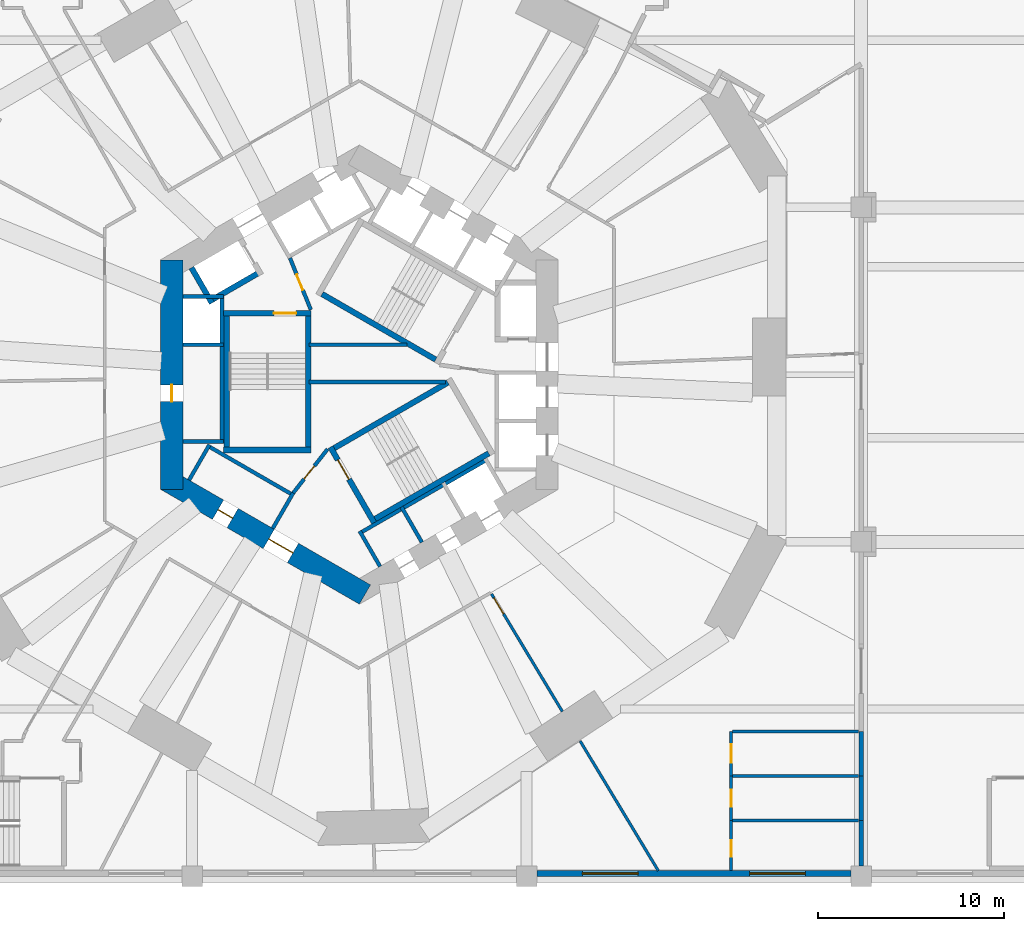
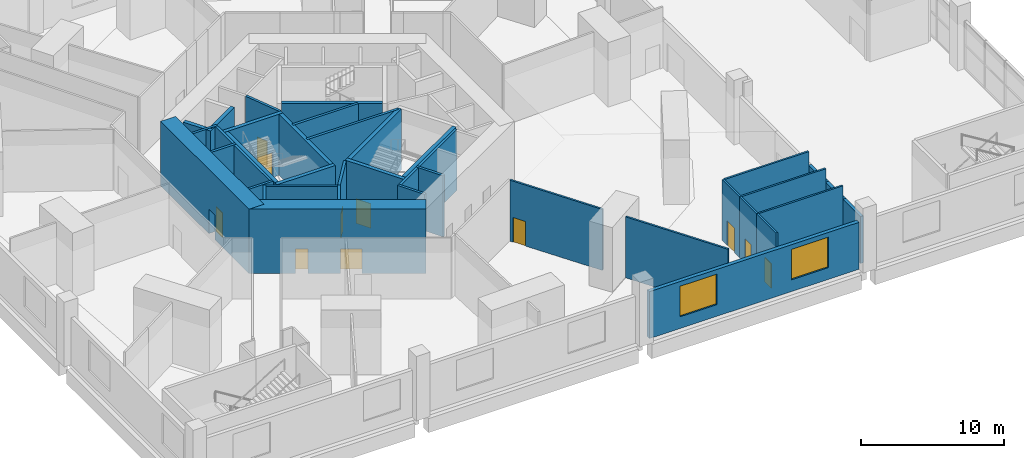
# One storey, part 6 of 16: 38 walls, 11 doors, 2 windows, 13 openings.
"""IFC4 building model written with IfcOpenShell, lengths in metres."""

from ifc_helpers import new_model, si_unit, direction, frame, frame_2d, origin, place, context, subcontext, project, spatial, rectangle, extrude, material, layer, layer_set, type_object, element, fill, save


model = new_model("IFC4")

# Units and contexts
model_context = context("Model", 3, precision=1e-05, world=origin(), true_north=direction((0.0, 1.0)))
body_context = subcontext(model_context, "Body", "Model", "MODEL_VIEW")
ifc_project = project(units=[si_unit("LENGTHUNIT", "METRE"), si_unit("AREAUNIT", "SQUARE_METRE"), si_unit("VOLUMEUNIT", "CUBIC_METRE"), si_unit("PLANEANGLEUNIT", "RADIAN"), si_unit("MASSUNIT", "GRAM", prefix="KILO")], contexts=[model_context])

# Site, building, storey
site_placement = place(None, origin())
site = spatial("IfcSite", under=ifc_project, at=site_placement, CompositionType="ELEMENT")
building_placement = place(site_placement, origin())
building = spatial("IfcBuilding", under=site, at=building_placement, Name="Vanh Sen Convention Tower", CompositionType="ELEMENT")
storey_placement = place(building_placement, frame((0.0, 0.0, 7.5)))
storey = spatial("IfcBuildingStorey", under=building, at=storey_placement, Name="L01", CompositionType="ELEMENT", Elevation=7.5)

# Walls
ifc_material_1 = material(Name="Concrete C40/50", Category="concrete")
ifc_layer_1 = layer(ifc_material_1, 0.25)
ifc_layer_set_1 = layer_set([ifc_layer_1], Name="Concrete C40/50")
wall_type_1 = type_object("IfcWallType", Name="Concrete wall 250 EI 180", PredefinedType="SOLIDWALL", material=ifc_layer_set_1)
wall_1_placement = place(storey_placement, frame((27.0, -26.449951171875, 0.0), z_axis=(0.0, 0.0, 1.0), x_axis=(0.0, 1.0, 0.0)))
element("IfcWall", 1, at=wall_1_placement, inside=storey, type_object=wall_type_1, Name="Fire-resisting wall L01-002", PredefinedType="SOLIDWALL", context=body_context, shape_type="SweptSolid", body=[
    extrude(rectangle(XDim=2.449951171875, YDim=0.25, at=frame_2d((1.22509765625, 0.0))), origin(), (0.0, 0.0, 1.0), 4.0),
])
wall_2_placement = place(storey_placement, frame((27.0, -24.0, 0.0), z_axis=(0.0, 0.0, 1.0), x_axis=(0.0, 1.0, 0.0)))
element("IfcWall", 2, at=wall_2_placement, inside=storey, type_object=wall_type_1, Name="Fire-resisting wall L01-009", PredefinedType="SOLIDWALL", context=body_context, shape_type="SweptSolid", body=[
    extrude(rectangle(XDim=2.39990234375, YDim=0.25, at=frame_2d((1.199951171875, 0.0))), origin(), (0.0, 0.0, 1.0), 4.0),
])
wall_3_placement = place(storey_placement, frame((27.0, -21.60009765625, 0.0), z_axis=(0.0, 0.0, 1.0), x_axis=(0.0, 1.0, 0.0)))
element("IfcWall", 3, at=wall_3_placement, inside=storey, type_object=wall_type_1, Name="Fire-resisting wall L01-017", PredefinedType="SOLIDWALL", context=body_context, shape_type="SweptSolid", body=[
    extrude(rectangle(XDim=2.400146484375, YDim=0.25, at=frame_2d((1.2001953125, 0.0))), origin(), (0.0, 0.0, 1.0), 4.0),
])

# Wall, opening, door
ifc_material_2 = material(Name="Concrete C80/95", Category="concrete")
ifc_layer_2 = layer(ifc_material_2, 1.199951171875)
ifc_layer_set_2 = layer_set([ifc_layer_2], Name="Concrete C80/95")
wall_type_2 = type_object("IfcWallType", Name="Core outer wall 1200 C80/95", PredefinedType="SHEAR", material=ifc_layer_set_2)
wall_4_placement = place(storey_placement, frame((-10.10009765625, 6.177490234375, 0.0), z_axis=(0.0, 0.0, 1.0), x_axis=(0.0, -1.0, 0.0)))
wall_4 = element("IfcWall", 4, at=wall_4_placement, inside=storey, type_object=wall_type_2, Name="Core wall face W L01", PredefinedType="SHEAR", context=body_context, shape_type="SweptSolid", body=[
    extrude(rectangle(XDim=12.35498046875, YDim=1.199951171875, at=frame_2d((6.177490234375, 0.0))), origin(), (0.0, 0.0, 1.0), 5.5),
])
opening_1_placement = place(wall_4_placement, frame((6.7275390625, 0.0, 0.0)))
opening_1 = element("IfcOpeningElement", 5, at=opening_1_placement, cuts=wall_4, Name="Opening D01010", PredefinedType="OPENING", context=body_context, shape_type="SweptSolid", body=[
    extrude(rectangle(XDim=0.89990234375, YDim=2.10009765625, at=frame_2d((0.449951171875, 1.050048828125))), frame((0.0, 0.60986328125, 0.0), z_axis=(0.0, -1.0, 0.0), x_axis=(1.0, 0.0, 0.0)), (0.0, 0.0, 1.0), 1.219970703125),
])
ifc_material_3 = material(Name="Steel S355", Category="steel")
door_type_1 = type_object("IfcDoorType", Name="Plant door 900", OperationType="SINGLE_SWING_LEFT", PredefinedType="DOOR", material=ifc_material_3)
door_1_placement = place(opening_1_placement, origin())
door_1 = element("IfcDoor", 6, at=door_1_placement, inside=storey, type_object=door_type_1, Name="Plant door D01010", OperationType="SINGLE_SWING_LEFT", OverallHeight=2.10009765625, OverallWidth=0.89990234375, PredefinedType="DOOR", context=body_context, shape_type="SweptSolid", body=[
    extrude(rectangle(XDim=0.89990234375, YDim=2.10009765625, at=frame_2d((0.449951171875, 1.050048828125))), frame((0.0, 0.02490234375, 0.0), z_axis=(0.0, -1.0, 0.0), x_axis=(1.0, 0.0, 0.0)), (0.0, 0.0, 1.0), 0.050048828125),
])
fill(opening_1, door_1)

# Wall, openings, doors
wall_5_placement = place(storey_placement, frame((-10.39990234375, -5.657958984375, 0.0), z_axis=(0.0, 0.0, 1.0), x_axis=(0.866021384402, -0.500006961711, 0.0)))
wall_5 = element("IfcWall", 7, at=wall_5_placement, inside=storey, type_object=wall_type_2, Name="Core wall face SW L01", PredefinedType="SHEAR", context=body_context, shape_type="SweptSolid", body=[
    extrude(rectangle(XDim=12.355224609375, YDim=1.199951171875, at=frame_2d((6.177734375, 0.0))), origin(), (0.0, 0.0, 1.0), 5.5),
])
opening_2_placement = place(wall_5_placement, frame((6.377685546875, 0.0, 0.0)))
opening_2 = element("IfcOpeningElement", 8, at=opening_2_placement, cuts=wall_5, Name="Opening D01003", PredefinedType="OPENING", context=body_context, shape_type="SweptSolid", body=[
    extrude(rectangle(XDim=1.5, YDim=2.10009765625, at=frame_2d((0.75, 1.050048828125))), frame((0.0, 0.60986328125, 0.0), z_axis=(0.0, -1.0, 0.0), x_axis=(1.0, 0.0, 0.0)), (0.0, 0.0, 1.0), 1.219970703125),
])
opening_3_placement = place(wall_5_placement, frame((3.227783203125, 0.0, 0.0)))
opening_3 = element("IfcOpeningElement", 9, at=opening_3_placement, cuts=wall_5, Name="Opening D01011", PredefinedType="OPENING", context=body_context, shape_type="SweptSolid", body=[
    extrude(rectangle(XDim=0.89990234375, YDim=2.10009765625, at=frame_2d((0.449951171875, 1.050048828125))), frame((0.0, 0.60986328125, 0.0), z_axis=(0.0, -1.0, 0.0), x_axis=(1.0, 0.0, 0.0)), (0.0, 0.0, 1.0), 1.219970703125),
])
door_2_placement = place(opening_3_placement, origin())
door_2 = element("IfcDoor", 10, at=door_2_placement, inside=storey, type_object=door_type_1, Name="Plant door D01011", OperationType="SINGLE_SWING_LEFT", OverallHeight=2.10009765625, OverallWidth=0.89990234375, PredefinedType="DOOR", context=body_context, shape_type="SweptSolid", body=[
    extrude(rectangle(XDim=0.89990234375, YDim=2.10009765625, at=frame_2d((0.449951171875, 1.050048828125))), frame((0.0, 0.02490234375, 0.0), z_axis=(0.0, -1.0, 0.0), x_axis=(1.0, 0.0, 0.0)), (0.0, 0.0, 1.0), 0.050048828125),
])
fill(opening_3, door_2)
door_type_2 = type_object("IfcDoorType", Name="Stair lobby door 1500", OperationType="DOUBLE_DOOR_SINGLE_SWING", PredefinedType="DOOR", material=ifc_material_3)
door_3_placement = place(opening_2_placement, origin())
door_3 = element("IfcDoor", 11, at=door_3_placement, inside=storey, type_object=door_type_2, Name="Stair lobby door D01003", OperationType="DOUBLE_DOOR_SINGLE_SWING", OverallHeight=2.10009765625, OverallWidth=1.5, PredefinedType="DOOR", context=body_context, shape_type="SweptSolid", body=[
    extrude(rectangle(XDim=1.5, YDim=2.10009765625, at=frame_2d((0.75, 1.050048828125))), frame((0.0, 0.02490234375, 0.0), z_axis=(0.0, -1.0, 0.0), x_axis=(1.0, 0.0, 0.0)), (0.0, 0.0, 1.0), 0.050048828125),
])
fill(opening_2, door_3)

# Walls
ifc_material_4 = material(Name="Masonry blockwork", Category="masonry")
ifc_layer_3 = layer(ifc_material_4, 0.199951171875)
ifc_layer_set_3 = layer_set([ifc_layer_3], Name="Masonry blockwork")
wall_type_3 = type_object("IfcWallType", Name="Core partition 200", PredefinedType="PARTITIONING", material=ifc_layer_set_3)
wall_6_placement = place(storey_placement, frame((-2.719970703125, -0.39990234375, 0.0), z_axis=(0.0, 0.0, 1.0), x_axis=(1.0, 0.0, 0.0)))
element("IfcWall", 12, at=wall_6_placement, inside=storey, type_object=wall_type_3, Name="Core partition L01", PredefinedType="PARTITIONING", context=body_context, shape_type="SweptSolid", body=[
    extrude(rectangle(XDim=7.34716796875, YDim=0.199951171875, at=frame_2d((3.673583984375, 0.0))), origin(), (0.0, 0.0, 1.0), 5.199951171875),
])
wall_7_placement = place(storey_placement, frame((-2.719970703125, 1.60009765625, 0.0), z_axis=(0.0, 0.0, 1.0), x_axis=(1.0, 0.0, 0.0)))
element("IfcWall", 13, at=wall_7_placement, inside=storey, type_object=wall_type_3, Name="Core partition L01", PredefinedType="PARTITIONING", context=body_context, shape_type="SweptSolid", body=[
    extrude(rectangle(XDim=5.2685546875, YDim=0.199951171875, at=frame_2d((2.63427734375, 0.0))), origin(), (0.0, 0.0, 1.0), 5.199951171875),
])
ifc_material_5 = material(Name="Concrete C60/75", Category="concrete")
ifc_layer_4 = layer(ifc_material_5, 0.300048828125)
ifc_layer_set_4 = layer_set([ifc_layer_4], Name="Concrete C60/75")
wall_type_4 = type_object("IfcWallType", Name="Fire-fighting lift shaft wall 300", PredefinedType="SHEAR", material=ifc_layer_set_4)
wall_8_placement = place(storey_placement, frame((-5.240478515625, 5.576904296875, 0.0), z_axis=(0.0, 0.0, 1.0), x_axis=(-0.866014461049, -0.500018952895, 0.0)))
element("IfcWall", 14, at=wall_8_placement, inside=storey, type_object=wall_type_4, Name="Fire-fighting lift shaft wall L01", PredefinedType="SHEAR", context=body_context, shape_type="SweptSolid", body=[
    extrude(rectangle(XDim=3.349853515625, YDim=0.300048828125, at=frame_2d((1.6748046875, 0.0))), origin(), (0.0, 0.0, 1.0), 5.199951171875),
])
wall_9_placement = place(storey_placement, frame((-7.936767578125, 3.846923828125, 0.0), z_axis=(0.0, 0.0, 1.0), x_axis=(-0.50002983664, 0.866008176907, 0.0)))
element("IfcWall", 15, at=wall_9_placement, inside=storey, type_object=wall_type_4, Name="Fire-fighting lift shaft wall L01", PredefinedType="SHEAR", context=body_context, shape_type="SweptSolid", body=[
    extrude(rectangle(XDim=2.199951171875, YDim=0.300048828125, at=frame_2d((1.10009765625, 0.0))), origin(), (0.0, 0.0, 1.0), 5.199951171875),
])
ifc_layer_5 = layer(ifc_material_1, 0.199951171875)
ifc_layer_set_5 = layer_set([ifc_layer_5], Name="Concrete C40/50")
wall_type_5 = type_object("IfcWallType", Name="Lift shaft wall 200", PredefinedType="PARTITIONING", material=ifc_layer_set_5)
wall_10_placement = place(storey_placement, frame((-7.39990234375, 4.300048828125, 0.0), z_axis=(0.0, 0.0, 1.0), x_axis=(0.0, -1.0, 0.0)))
element("IfcWall", 16, at=wall_10_placement, inside=storey, type_object=wall_type_5, Name="Lift shaft wall L01", PredefinedType="PARTITIONING", context=body_context, shape_type="SweptSolid", body=[
    extrude(rectangle(XDim=8.0, YDim=0.199951171875, at=frame_2d((4.0, 0.0))), origin(), (0.0, 0.0, 1.0), 5.199951171875),
])
for number, where, z_axis, x_axis, name in (
    (17, (-7.300048828125, 4.199951171875, 0.0), (0.0, 0.0, 1.0), (-1.0, 0.0, 0.0), "Lift shaft wall L01"),
    (18, (-7.300048828125, 1.60009765625, 0.0), (0.0, 0.0, 1.0), (-1.0, 0.0, 0.0), "Lift shaft wall L01"),
    (19, (-7.300048828125, -3.60009765625, 0.0), (0.0, 0.0, 1.0), (-1.0, 0.0, 0.0), "Lift shaft wall L01"),
):
    element("IfcWall", number, at=place(storey_placement, frame(where, z_axis=z_axis, x_axis=x_axis)), inside=storey, type_object=wall_type_5, Name=name, PredefinedType="PARTITIONING", context=body_context, shape_type="SweptSolid", body=[
        extrude(rectangle(XDim=2.199951171875, YDim=0.199951171875, at=frame_2d((1.10009765625, 0.0))), origin(), (0.0, 0.0, 1.0), 5.199951171875),
    ])
wall_11_placement = place(storey_placement, frame((-8.203369140625, -3.80859375, 0.0), z_axis=(0.0, 0.0, 1.0), x_axis=(0.866028230842, -0.499995103361, 0.0)))
element("IfcWall", 20, at=wall_11_placement, inside=storey, type_object=wall_type_5, Name="Lift shaft wall L01", PredefinedType="PARTITIONING", context=body_context, shape_type="SweptSolid", body=[
    extrude(rectangle(XDim=5.39990234375, YDim=0.199951171875, at=frame_2d((2.699951171875, 0.0))), origin(), (0.0, 0.0, 1.0), 5.199951171875),
])
wall_12_placement = place(storey_placement, frame((-8.066650390625, -3.77197265625, 0.0), z_axis=(0.0, 0.0, 1.0), x_axis=(-0.50002983664, -0.866008176907, 0.0)))
element("IfcWall", 21, at=wall_12_placement, inside=storey, type_object=wall_type_5, Name="Lift shaft wall L01", PredefinedType="PARTITIONING", context=body_context, shape_type="SweptSolid", body=[
    extrude(rectangle(XDim=2.199951171875, YDim=0.199951171875, at=frame_2d((1.10009765625, 0.0))), origin(), (0.0, 0.0, 1.0), 5.199951171875),
])
wall_13_placement = place(storey_placement, frame((-3.5634765625, -6.3720703125, 0.0), z_axis=(0.0, 0.0, 1.0), x_axis=(-0.499994660107, -0.866028486751, 0.0)))
element("IfcWall", 22, at=wall_13_placement, inside=storey, type_object=wall_type_5, Name="Lift shaft wall L01", PredefinedType="PARTITIONING", context=body_context, shape_type="SweptSolid", body=[
    extrude(rectangle(XDim=2.19970703125, YDim=0.199951171875, at=frame_2d((1.099853515625, 0.0))), origin(), (0.0, 0.0, 1.0), 5.199951171875),
])
wall_14_placement = place(storey_placement, frame((-0.02392578125, -8.55859375, 0.0), z_axis=(0.0, 0.0, 1.0), x_axis=(0.866026010844, 0.49999894854, 0.0)))
element("IfcWall", 23, at=wall_14_placement, inside=storey, type_object=wall_type_5, Name="Lift shaft wall L01", PredefinedType="PARTITIONING", context=body_context, shape_type="SweptSolid", body=[
    extrude(rectangle(XDim=8.0, YDim=0.199951171875, at=frame_2d((4.0, 0.0))), origin(), (0.0, 0.0, 1.0), 5.199951171875),
])
for number, where, z_axis, x_axis, name in (
    (24, (0.0126953125, -8.422119140625, 0.0), (0.0, 0.0, 1.0), (0.500077893725, -0.86598042715, 0.0), "Lift shaft wall L01"),
    (25, (2.264404296875, -7.1220703125, 0.0), (0.0, 0.0, 1.0), (0.500077893725, -0.86598042715, 0.0), "Lift shaft wall L01"),
):
    element("IfcWall", number, at=place(storey_placement, frame(where, z_axis=z_axis, x_axis=x_axis)), inside=storey, type_object=wall_type_5, Name=name, PredefinedType="PARTITIONING", context=body_context, shape_type="SweptSolid", body=[
        extrude(rectangle(XDim=2.199951171875, YDim=0.199951171875, at=frame_2d((1.10009765625, 0.0))), origin(), (0.0, 0.0, 1.0), 5.199951171875),
    ])

# Wall, opening, door
ifc_material_6 = material(Name="Gypsum board on steel studs", Category="steel")
ifc_layer_6 = layer(ifc_material_6, 0.14990234375)
ifc_layer_set_6 = layer_set([ifc_layer_6], Name="Gypsum board on steel studs")
wall_type_6 = type_object("IfcWallType", Name="Partition 150", PredefinedType="PARTITIONING", material=ifc_layer_set_6)
wall_15_placement = place(storey_placement, frame((20.0, -26.699951171875, 0.0), z_axis=(0.0, 0.0, 1.0), x_axis=(0.0, 1.0, 0.0)))
wall_15 = element("IfcWall", 26, at=wall_15_placement, inside=storey, type_object=wall_type_6, Name="Partition L01-001", PredefinedType="PARTITIONING", context=body_context, shape_type="SweptSolid", body=[
    extrude(rectangle(XDim=2.699951171875, YDim=0.14990234375, at=frame_2d((1.35009765625, 0.0))), origin(), (0.0, 0.0, 1.0), 5.199951171875),
])
opening_4_placement = place(wall_15_placement, frame((0.75, 0.0, 0.0)))
opening_4 = element("IfcOpeningElement", 27, at=opening_4_placement, cuts=wall_15, Name="Opening D01101", PredefinedType="OPENING", context=body_context, shape_type="SweptSolid", body=[
    extrude(rectangle(XDim=0.89990234375, YDim=2.10009765625, at=frame_2d((0.449951171875, 1.050048828125))), frame((0.0, 0.0849609375, 0.0), z_axis=(0.0, -1.0, 0.0), x_axis=(1.0, 0.0, 0.0)), (0.0, 0.0, 1.0), 0.169921875),
])
ifc_material_7 = material(Name="Timber door in steel frame", Category="steel")
door_type_3 = type_object("IfcDoorType", Name="Room door 900", OperationType="SINGLE_SWING_LEFT", PredefinedType="DOOR", material=ifc_material_7)
door_4_placement = place(opening_4_placement, origin())
door_4 = element("IfcDoor", 28, at=door_4_placement, inside=storey, type_object=door_type_3, Name="Room door D01101", OperationType="SINGLE_SWING_LEFT", OverallHeight=2.10009765625, OverallWidth=0.89990234375, PredefinedType="DOOR", context=body_context, shape_type="SweptSolid", body=[
    extrude(rectangle(XDim=0.89990234375, YDim=2.10009765625, at=frame_2d((0.449951171875, 1.050048828125))), frame((0.0, 0.02490234375, 0.0), z_axis=(0.0, -1.0, 0.0), x_axis=(1.0, 0.0, 0.0)), (0.0, 0.0, 1.0), 0.050048828125),
])
fill(opening_4, door_4)

wall_16_placement = place(storey_placement, frame((20.0, -24.0, 0.0), z_axis=(0.0, 0.0, 1.0), x_axis=(0.0, 1.0, 0.0)))
wall_16 = element("IfcWall", 29, at=wall_16_placement, inside=storey, type_object=wall_type_6, Name="Partition L01-007", PredefinedType="PARTITIONING", context=body_context, shape_type="SweptSolid", body=[
    extrude(rectangle(XDim=2.39990234375, YDim=0.14990234375, at=frame_2d((1.199951171875, 0.0))), origin(), (0.0, 0.0, 1.0), 5.199951171875),
])
opening_5_placement = place(wall_16_placement, frame((0.75, 0.0, 0.0)))
opening_5 = element("IfcOpeningElement", 30, at=opening_5_placement, cuts=wall_16, Name="Opening D01102", PredefinedType="OPENING", context=body_context, shape_type="SweptSolid", body=[
    extrude(rectangle(XDim=0.89990234375, YDim=2.10009765625, at=frame_2d((0.449951171875, 1.050048828125))), frame((0.0, 0.0849609375, 0.0), z_axis=(0.0, -1.0, 0.0), x_axis=(1.0, 0.0, 0.0)), (0.0, 0.0, 1.0), 0.169921875),
])
door_5_placement = place(opening_5_placement, origin())
door_5 = element("IfcDoor", 31, at=door_5_placement, inside=storey, type_object=door_type_3, Name="Room door D01102", OperationType="SINGLE_SWING_LEFT", OverallHeight=2.10009765625, OverallWidth=0.89990234375, PredefinedType="DOOR", context=body_context, shape_type="SweptSolid", body=[
    extrude(rectangle(XDim=0.89990234375, YDim=2.10009765625, at=frame_2d((0.449951171875, 1.050048828125))), frame((0.0, 0.02490234375, 0.0), z_axis=(0.0, -1.0, 0.0), x_axis=(1.0, 0.0, 0.0)), (0.0, 0.0, 1.0), 0.050048828125),
])
fill(opening_5, door_5)

# Wall
wall_17_placement = place(storey_placement, frame((20.080078125, -24.0, 0.0), z_axis=(0.0, 0.0, 1.0), x_axis=(1.0, 0.0, 0.0)))
element("IfcWall", 32, at=wall_17_placement, inside=storey, type_object=wall_type_6, Name="Partition L01-008", PredefinedType="PARTITIONING", context=body_context, shape_type="SweptSolid", body=[
    extrude(rectangle(XDim=6.780029296875, YDim=0.14990234375, at=frame_2d((3.39013671875, 0.0))), origin(), (0.0, 0.0, 1.0), 5.199951171875),
])

# Wall, opening, door
wall_18_placement = place(storey_placement, frame((20.0, -21.60009765625, 0.0), z_axis=(0.0, 0.0, 1.0), x_axis=(0.0, 1.0, 0.0)))
wall_18 = element("IfcWall", 33, at=wall_18_placement, inside=storey, type_object=wall_type_6, Name="Partition L01-015", PredefinedType="PARTITIONING", context=body_context, shape_type="SweptSolid", body=[
    extrude(rectangle(XDim=2.400146484375, YDim=0.14990234375, at=frame_2d((1.2001953125, 0.0))), origin(), (0.0, 0.0, 1.0), 5.199951171875),
])
opening_6_placement = place(wall_18_placement, frame((0.699951171875, 0.0, 0.0)))
opening_6 = element("IfcOpeningElement", 34, at=opening_6_placement, cuts=wall_18, Name="Opening D01105", PredefinedType="OPENING", context=body_context, shape_type="SweptSolid", body=[
    extrude(rectangle(XDim=1.0, YDim=2.10009765625, at=frame_2d((0.5, 1.050048828125))), frame((0.0, 0.0849609375, 0.0), z_axis=(0.0, -1.0, 0.0), x_axis=(1.0, 0.0, 0.0)), (0.0, 0.0, 1.0), 0.169921875),
])
door_type_4 = type_object("IfcDoorType", Name="Room door 1000", OperationType="SINGLE_SWING_LEFT", PredefinedType="DOOR", material=ifc_material_7)
door_6_placement = place(opening_6_placement, origin())
door_6 = element("IfcDoor", 35, at=door_6_placement, inside=storey, type_object=door_type_4, Name="Room door D01105", OperationType="SINGLE_SWING_LEFT", OverallHeight=2.10009765625, OverallWidth=1.0, PredefinedType="DOOR", context=body_context, shape_type="SweptSolid", body=[
    extrude(rectangle(XDim=1.0, YDim=2.10009765625, at=frame_2d((0.5, 1.050048828125))), frame((0.0, 0.02490234375, 0.0), z_axis=(0.0, -1.0, 0.0), x_axis=(1.0, 0.0, 0.0)), (0.0, 0.0, 1.0), 0.050048828125),
])
fill(opening_6, door_6)

# Walls
for number, where, z_axis, x_axis, name in (
    (36, (20.080078125, -21.60009765625, 0.0), (0.0, 0.0, 1.0), (1.0, 0.0, 0.0), "Partition L01-016"),
    (37, (20.080078125, -19.199951171875, 0.0), (0.0, 0.0, 1.0), (1.0, 0.0, 0.0), "Partition L01-025"),
):
    element("IfcWall", number, at=place(storey_placement, frame(where, z_axis=z_axis, x_axis=x_axis)), inside=storey, type_object=wall_type_6, Name=name, PredefinedType="PARTITIONING", context=body_context, shape_type="SweptSolid", body=[
        extrude(rectangle(XDim=6.780029296875, YDim=0.14990234375, at=frame_2d((3.39013671875, 0.0))), origin(), (0.0, 0.0, 1.0), 5.199951171875),
    ])
ifc_layer_7 = layer(ifc_material_6, 0.14990234375)
ifc_layer_set_7 = layer_set([ifc_layer_7], Name="Gypsum board on steel studs")
wall_type_7 = type_object("IfcWallType", Name="Partition 150 EI 60", PredefinedType="PARTITIONING", material=ifc_layer_set_7)
wall_19_placement = place(storey_placement, frame((11.87939453125, -19.719482421875, 0.0), z_axis=(0.0, 0.0, 1.0), x_axis=(0.516054476578, -0.856555764212, 0.0)))
element("IfcWall", 38, at=wall_19_placement, inside=storey, type_object=wall_type_7, Name="Partition L01-022", PredefinedType="PARTITIONING", context=body_context, shape_type="SweptSolid", body=[
    extrude(rectangle(XDim=8.1494140625, YDim=0.14990234375, at=frame_2d((4.07470703125, 0.0))), origin(), (0.0, 0.0, 1.0), 5.199951171875),
])

# Wall, opening, door
wall_20_placement = place(storey_placement, frame((10.923583984375, -18.1328125, 0.0), z_axis=(0.0, 0.0, 1.0), x_axis=(-0.516035715917, 0.856567066784, 0.0)))
wall_20 = element("IfcWall", 39, at=wall_20_placement, inside=storey, type_object=wall_type_7, Name="Partition L01-028", PredefinedType="PARTITIONING", context=body_context, shape_type="SweptSolid", body=[
    extrude(rectangle(XDim=7.38671875, YDim=0.14990234375, at=frame_2d((3.693359375, 0.0))), origin(), (0.0, 0.0, 1.0), 5.199951171875),
])
opening_7_placement = place(wall_20_placement, frame((6.13671875, 0.0, 0.0)))
opening_7 = element("IfcOpeningElement", 40, at=opening_7_placement, cuts=wall_20, Name="Opening D01109", PredefinedType="OPENING", context=body_context, shape_type="SweptSolid", body=[
    extrude(rectangle(XDim=1.0, YDim=2.10009765625, at=frame_2d((0.5, 1.050048828125))), frame((0.0, 0.0849609375, 0.0), z_axis=(0.0, -1.0, 0.0), x_axis=(1.0, 0.0, 0.0)), (0.0, 0.0, 1.0), 0.169921875),
])
door_type_5 = type_object("IfcDoorType", Name="Room door 1000 EI 30", OperationType="SINGLE_SWING_LEFT", PredefinedType="DOOR", material=ifc_material_7)
door_7_placement = place(opening_7_placement, origin())
door_7 = element("IfcDoor", 41, at=door_7_placement, inside=storey, type_object=door_type_5, Name="Room door D01109", OperationType="SINGLE_SWING_LEFT", OverallHeight=2.10009765625, OverallWidth=1.0, PredefinedType="DOOR", context=body_context, shape_type="SweptSolid", body=[
    extrude(rectangle(XDim=1.0, YDim=2.10009765625, at=frame_2d((0.5, 1.050048828125))), frame((0.0, 0.02490234375, 0.0), z_axis=(0.0, -1.0, 0.0), x_axis=(1.0, 0.0, 0.0)), (0.0, 0.0, 1.0), 0.050048828125),
])
fill(opening_7, door_7)

# Wall, openings, windows
ifc_material_8 = material(Name="Concrete C50/60", Category="concrete")
ifc_layer_8 = layer(ifc_material_8, 0.300048828125)
ifc_layer_set_8 = layer_set([ifc_layer_8], Name="Concrete C50/60")
wall_type_8 = type_object("IfcWallType", Name="Podium wall 300", PredefinedType="STANDARD", material=ifc_layer_set_8)
wall_21_placement = place(storey_placement, frame((9.550048828125, -26.85009765625, 0.0), z_axis=(0.0, 0.0, 1.0), x_axis=(1.0, 0.0, 0.0)))
wall_21 = element("IfcWall", 42, at=wall_21_placement, inside=storey, type_object=wall_type_8, Name="Podium wall S3 L01", PredefinedType="STANDARD", context=body_context, shape_type="SweptSolid", body=[
    extrude(rectangle(XDim=16.89990234375, YDim=0.300048828125, at=frame_2d((8.449951171875, 0.0))), origin(), (0.0, 0.0, 1.0), 4.0),
])
opening_8_placement = place(wall_21_placement, frame((2.449951171875, 0.0, 1.0)))
opening_8 = element("IfcOpeningElement", 43, at=opening_8_placement, cuts=wall_21, Name="Opening WP2-S5", PredefinedType="OPENING", context=body_context, shape_type="SweptSolid", body=[
    extrude(rectangle(XDim=3.0, YDim=2.60009765625, at=frame_2d((1.5, 1.300048828125))), frame((0.0, 0.159912109375, 0.0), z_axis=(0.0, -1.0, 0.0), x_axis=(1.0, 0.0, 0.0)), (0.0, 0.0, 1.0), 0.320068359375),
])
opening_9_placement = place(wall_21_placement, frame((11.449951171875, 0.0, 1.0)))
opening_9 = element("IfcOpeningElement", 44, at=opening_9_placement, cuts=wall_21, Name="Opening WP2-S6", PredefinedType="OPENING", context=body_context, shape_type="SweptSolid", body=[
    extrude(rectangle(XDim=3.0, YDim=2.60009765625, at=frame_2d((1.5, 1.300048828125))), frame((0.0, 0.159912109375, 0.0), z_axis=(0.0, -1.0, 0.0), x_axis=(1.0, 0.0, 0.0)), (0.0, 0.0, 1.0), 0.320068359375),
])
ifc_material_9 = material(Name="Aluminium frame with clear low-emissivity glass", Category="aluminium")
window_type = type_object("IfcWindowType", Name="Podium window 3000 x 2600", PartitioningType="SINGLE_PANEL", PredefinedType="WINDOW", material=ifc_material_9)
window_1_placement = place(opening_8_placement, origin())
window_1 = element("IfcWindow", 45, at=window_1_placement, inside=storey, type_object=window_type, Name="Window WP2-S5", OverallHeight=2.60009765625, OverallWidth=3.0, PartitioningType="SINGLE_PANEL", PredefinedType="WINDOW", context=body_context, shape_type="SweptSolid", body=[
    extrude(rectangle(XDim=3.0, YDim=2.60009765625, at=frame_2d((1.5, 1.300048828125))), frame((0.0, 0.030029296875, 0.0), z_axis=(0.0, -1.0, 0.0), x_axis=(1.0, 0.0, 0.0)), (0.0, 0.0, 1.0), 0.06005859375),
])
fill(opening_8, window_1)
window_2_placement = place(opening_9_placement, origin())
window_2 = element("IfcWindow", 46, at=window_2_placement, inside=storey, type_object=window_type, Name="Window WP2-S6", OverallHeight=2.60009765625, OverallWidth=3.0, PartitioningType="SINGLE_PANEL", PredefinedType="WINDOW", context=body_context, shape_type="SweptSolid", body=[
    extrude(rectangle(XDim=3.0, YDim=2.60009765625, at=frame_2d((1.5, 1.300048828125))), frame((0.0, 0.030029296875, 0.0), z_axis=(0.0, -1.0, 0.0), x_axis=(1.0, 0.0, 0.0)), (0.0, 0.0, 1.0), 0.06005859375),
])
fill(opening_9, window_2)

# Wall, opening, door
ifc_layer_9 = layer(ifc_material_1, 0.199951171875)
ifc_layer_set_9 = layer_set([ifc_layer_9], Name="Concrete C40/50")
wall_type_9 = type_object("IfcWallType", Name="Stair lobby wall 200", PredefinedType="PARTITIONING", material=ifc_layer_set_9)
wall_22_placement = place(storey_placement, frame((-2.614990234375, 3.487060546875, 0.0), z_axis=(0.0, 0.0, 1.0), x_axis=(-0.373576831041, 0.92759924068, 0.0)))
wall_22 = element("IfcWall", 47, at=wall_22_placement, inside=storey, type_object=wall_type_9, Name="Stair lobby wall L01", PredefinedType="PARTITIONING", context=body_context, shape_type="SweptSolid", body=[
    extrude(rectangle(XDim=3.002197265625, YDim=0.199951171875, at=frame_2d((1.5009765625, 0.0))), origin(), (0.0, 0.0, 1.0), 5.199951171875),
])
opening_10_placement = place(wall_22_placement, frame((1.14990234375, 0.0, 0.0)))
opening_10 = element("IfcOpeningElement", 48, at=opening_10_placement, cuts=wall_22, Name="Opening D01008", PredefinedType="OPENING", context=body_context, shape_type="SweptSolid", body=[
    extrude(rectangle(XDim=0.89990234375, YDim=2.10009765625, at=frame_2d((0.449951171875, 1.050048828125))), frame((0.0, 0.10986328125, 0.0), z_axis=(0.0, -1.0, 0.0), x_axis=(1.0, 0.0, 0.0)), (0.0, 0.0, 1.0), 0.219970703125),
])
door_8_placement = place(opening_10_placement, origin())
door_8 = element("IfcDoor", 49, at=door_8_placement, inside=storey, type_object=door_type_1, Name="Plant door D01008", OperationType="SINGLE_SWING_LEFT", OverallHeight=2.10009765625, OverallWidth=0.89990234375, PredefinedType="DOOR", context=body_context, shape_type="SweptSolid", body=[
    extrude(rectangle(XDim=0.89990234375, YDim=2.10009765625, at=frame_2d((0.449951171875, 1.050048828125))), frame((0.0, 0.02490234375, 0.0), z_axis=(0.0, -1.0, 0.0), x_axis=(1.0, 0.0, 0.0)), (0.0, 0.0, 1.0), 0.050048828125),
])
fill(opening_10, door_8)

wall_23_placement = place(storey_placement, frame((-1.71240234375, -4.00830078125, 0.0), z_axis=(0.0, 0.0, 1.0), x_axis=(-0.616549420702, -0.787316208287, 0.0)))
wall_23 = element("IfcWall", 50, at=wall_23_placement, inside=storey, type_object=wall_type_9, Name="Stair lobby wall L01", PredefinedType="PARTITIONING", context=body_context, shape_type="SweptSolid", body=[
    extrude(rectangle(XDim=3.002197265625, YDim=0.199951171875, at=frame_2d((1.5009765625, 0.0))), origin(), (0.0, 0.0, 1.0), 5.199951171875),
])
opening_11_placement = place(wall_23_placement, frame((1.14990234375, 0.0, 0.0)))
opening_11 = element("IfcOpeningElement", 51, at=opening_11_placement, cuts=wall_23, Name="Opening D01009", PredefinedType="OPENING", context=body_context, shape_type="SweptSolid", body=[
    extrude(rectangle(XDim=0.89990234375, YDim=2.10009765625, at=frame_2d((0.449951171875, 1.050048828125))), frame((0.0, 0.10986328125, 0.0), z_axis=(0.0, -1.0, 0.0), x_axis=(1.0, 0.0, 0.0)), (0.0, 0.0, 1.0), 0.219970703125),
])
door_9_placement = place(opening_11_placement, origin())
door_9 = element("IfcDoor", 52, at=door_9_placement, inside=storey, type_object=door_type_1, Name="Plant door D01009", OperationType="SINGLE_SWING_LEFT", OverallHeight=2.10009765625, OverallWidth=0.89990234375, PredefinedType="DOOR", context=body_context, shape_type="SweptSolid", body=[
    extrude(rectangle(XDim=0.89990234375, YDim=2.10009765625, at=frame_2d((0.449951171875, 1.050048828125))), frame((0.0, 0.02490234375, 0.0), z_axis=(0.0, -1.0, 0.0), x_axis=(1.0, 0.0, 0.0)), (0.0, 0.0, 1.0), 0.050048828125),
])
fill(opening_11, door_9)

# Wall
ifc_layer_10 = layer(ifc_material_5, 0.300048828125)
ifc_layer_set_10 = layer_set([ifc_layer_10], Name="Concrete C60/75")
wall_type_10 = type_object("IfcWallType", Name="Stair wall 300", PredefinedType="SHEAR", material=ifc_layer_set_10)
wall_24_placement = place(storey_placement, frame((4.10302734375, 0.806640625, 0.0), z_axis=(0.0, 0.0, 1.0), x_axis=(-0.866027801685, 0.499995846692, 0.0)))
element("IfcWall", 53, at=wall_24_placement, inside=storey, type_object=wall_type_10, Name="Stair wall L01", PredefinedType="SHEAR", context=body_context, shape_type="SweptSolid", body=[
    extrude(rectangle(XDim=7.06005859375, YDim=0.300048828125, at=frame_2d((3.530029296875, 0.0))), origin(), (0.0, 0.0, 1.0), 5.199951171875),
])

# Wall, opening, door
wall_25_placement = place(storey_placement, frame((-2.60009765625, 3.300048828125, 0.0), z_axis=(0.0, 0.0, 1.0), x_axis=(-1.0, 0.0, 0.0)))
wall_25 = element("IfcWall", 54, at=wall_25_placement, inside=storey, type_object=wall_type_10, Name="Stair wall L01", PredefinedType="SHEAR", context=body_context, shape_type="SweptSolid", body=[
    extrude(rectangle(XDim=4.699951171875, YDim=0.300048828125, at=frame_2d((2.35009765625, 0.0))), origin(), (0.0, 0.0, 1.0), 5.199951171875),
])
opening_12_placement = place(wall_25_placement, frame((0.800048828125, 0.0, 0.0)))
opening_12 = element("IfcOpeningElement", 55, at=opening_12_placement, cuts=wall_25, Name="Opening D01005", PredefinedType="OPENING", context=body_context, shape_type="SweptSolid", body=[
    extrude(rectangle(XDim=1.199951171875, YDim=2.10009765625, at=frame_2d((0.60009765625, 1.050048828125))), frame((0.0, 0.159912109375, 0.0), z_axis=(0.0, -1.0, 0.0), x_axis=(1.0, 0.0, 0.0)), (0.0, 0.0, 1.0), 0.320068359375),
])
door_type_6 = type_object("IfcDoorType", Name="Stair door 1200", OperationType="SINGLE_SWING_RIGHT", PredefinedType="DOOR", material=ifc_material_3)
door_10_placement = place(opening_12_placement, origin())
door_10 = element("IfcDoor", 56, at=door_10_placement, inside=storey, type_object=door_type_6, Name="Stair ST2 door D01005", OperationType="SINGLE_SWING_RIGHT", OverallHeight=2.10009765625, OverallWidth=1.199951171875, PredefinedType="DOOR", context=body_context, shape_type="SweptSolid", body=[
    extrude(rectangle(XDim=1.199951171875, YDim=2.10009765625, at=frame_2d((0.60009765625, 1.050048828125))), frame((0.0, 0.02490234375, 0.0), z_axis=(0.0, -1.0, 0.0), x_axis=(1.0, 0.0, 0.0)), (0.0, 0.0, 1.0), 0.050048828125),
])
fill(opening_12, door_10)

# Walls
wall_26_placement = place(storey_placement, frame((-2.60009765625, -4.06005859375, 0.0), z_axis=(0.0, 0.0, 1.0), x_axis=(-1.0, 0.0, 0.0)))
element("IfcWall", 57, at=wall_26_placement, inside=storey, type_object=wall_type_10, Name="Stair wall L01", PredefinedType="SHEAR", context=body_context, shape_type="SweptSolid", body=[
    extrude(rectangle(XDim=4.699951171875, YDim=0.300048828125, at=frame_2d((2.35009765625, 0.0))), origin(), (0.0, 0.0, 1.0), 5.199951171875),
])
for number, where, z_axis, x_axis, name in (
    (58, (-2.75, 3.14990234375, 0.0), (0.0, 0.0, 1.0), (0.0, -1.0, 0.0), "Stair wall L01"),
    (59, (-7.14990234375, 3.14990234375, 0.0), (0.0, 0.0, 1.0), (0.0, -1.0, 0.0), "Stair wall L01"),
):
    element("IfcWall", number, at=place(storey_placement, frame(where, z_axis=z_axis, x_axis=x_axis)), inside=storey, type_object=wall_type_10, Name=name, PredefinedType="SHEAR", context=body_context, shape_type="SweptSolid", body=[
        extrude(rectangle(XDim=7.059814453125, YDim=0.300048828125, at=frame_2d((3.52978515625, 0.0))), origin(), (0.0, 0.0, 1.0), 5.199951171875),
    ])

# Wall, opening, door
wall_27_placement = place(storey_placement, frame((-1.557861328125, -3.901611328125, 0.0), z_axis=(0.0, 0.0, 1.0), x_axis=(0.499977259774, -0.866038532462, 0.0)))
wall_27 = element("IfcWall", 60, at=wall_27_placement, inside=storey, type_object=wall_type_10, Name="Stair wall L01", PredefinedType="SHEAR", context=body_context, shape_type="SweptSolid", body=[
    extrude(rectangle(XDim=4.699951171875, YDim=0.300048828125, at=frame_2d((2.35009765625, 0.0))), origin(), (0.0, 0.0, 1.0), 5.199951171875),
])
opening_13_placement = place(wall_27_placement, frame((0.800048828125, 0.0, 0.0)))
opening_13 = element("IfcOpeningElement", 61, at=opening_13_placement, cuts=wall_27, Name="Opening D01006", PredefinedType="OPENING", context=body_context, shape_type="SweptSolid", body=[
    extrude(rectangle(XDim=1.199951171875, YDim=2.10009765625, at=frame_2d((0.60009765625, 1.050048828125))), frame((0.0, 0.159912109375, 0.0), z_axis=(0.0, -1.0, 0.0), x_axis=(1.0, 0.0, 0.0)), (0.0, 0.0, 1.0), 0.320068359375),
])
door_11_placement = place(opening_13_placement, origin())
door_11 = element("IfcDoor", 62, at=door_11_placement, inside=storey, type_object=door_type_6, Name="Stair ST3 door D01006", OperationType="SINGLE_SWING_RIGHT", OverallHeight=2.10009765625, OverallWidth=1.199951171875, PredefinedType="DOOR", context=body_context, shape_type="SweptSolid", body=[
    extrude(rectangle(XDim=1.199951171875, YDim=2.10009765625, at=frame_2d((0.60009765625, 1.050048828125))), frame((0.0, 0.02490234375, 0.0), z_axis=(0.0, -1.0, 0.0), x_axis=(1.0, 0.0, 0.0)), (0.0, 0.0, 1.0), 0.050048828125),
])
fill(opening_13, door_11)

# Walls
for number, where, z_axis, x_axis, name in (
    (63, (-1.35302734375, -3.95654296875, 0.0), (0.0, 0.0, 1.0), (0.866027801685, 0.499995846692, 0.0), "Stair wall L01"),
    (64, (0.846923828125, -7.76708984375, 0.0), (0.0, 0.0, 1.0), (0.866027801685, 0.499995846692, 0.0), "Stair wall L01"),
):
    element("IfcWall", number, at=place(storey_placement, frame(where, z_axis=z_axis, x_axis=x_axis)), inside=storey, type_object=wall_type_10, Name=name, PredefinedType="SHEAR", context=body_context, shape_type="SweptSolid", body=[
        extrude(rectangle(XDim=7.06005859375, YDim=0.300048828125, at=frame_2d((3.530029296875, 0.0))), origin(), (0.0, 0.0, 1.0), 5.199951171875),
    ])

save(model, "model.ifc")
